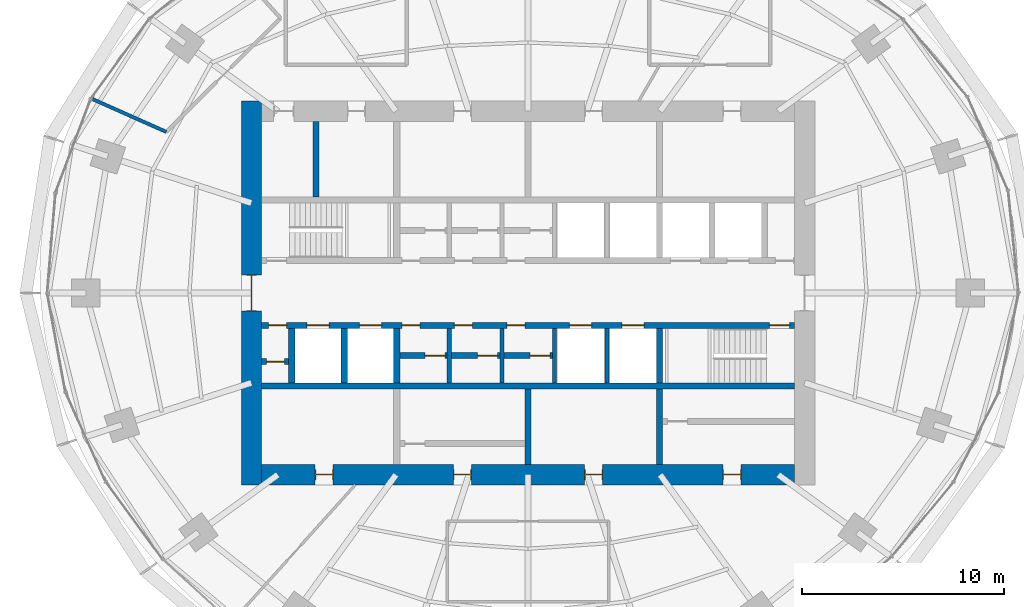
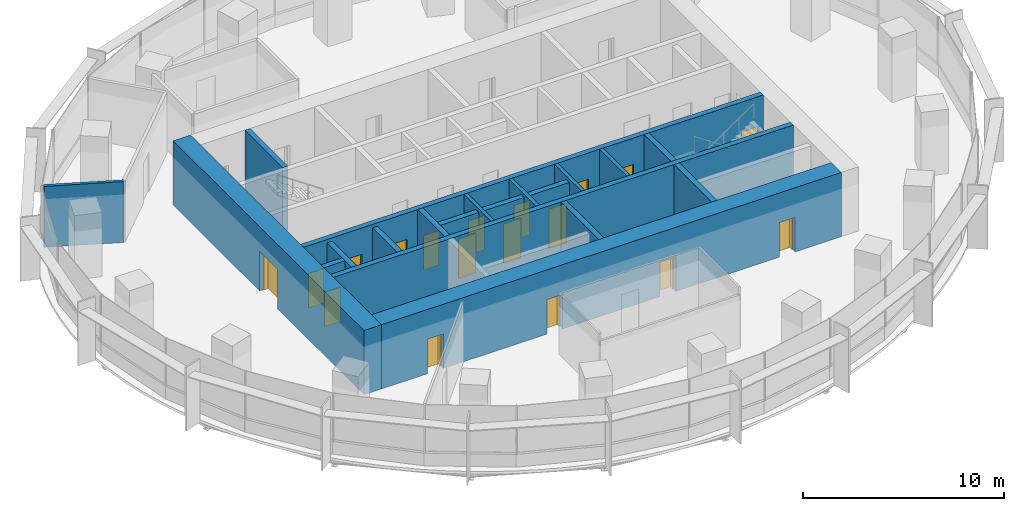
# One storey, part 10 of 14: 20 walls, 18 doors, 18 openings.
"""IFC4 building model written with IfcOpenShell, lengths in metres."""

import ifcopenshell
import ifcopenshell.guid

model = None  # the IFC model being written
_history = None  # IfcOwnerHistory: only IFC2X3 demands one
_inside = {}  # id of a spatial element -> (the spatial element, [elements in it])
_under = {}  # id of a project, library or spatial element -> (it, [spatial elements below it])
_declared = {}  # id of a project -> (the project, [libraries it declares])
_typed = {}  # id of a type object -> (the type object, [elements of that type])
_made_of = {}  # id of a material, layer set ... -> (it, [elements and type objects made of it])


def new_model(schema):
    """Start an empty IFC model of exactly this schema.

    Asked for "IFC4X3", IfcOpenShell would pick the latest addendum, in which some entities
    have other attributes; the version numbers below select the first issue.
    IFC2X3 requires an IfcOwnerHistory on every rooted entity: one is made here for all.
    """
    global model, _history
    if schema == "IFC4X3":
        model = ifcopenshell.file(schema_version=(4, 3, 0, 0))
    else:
        model = ifcopenshell.file(schema=schema)
    _inside.clear()
    _under.clear()
    _declared.clear()
    _typed.clear()
    _made_of.clear()
    _history = None
    if model.schema == "IFC2X3":
        org = make("IfcOrganization", Name="unknown")
        user = make(
            "IfcPersonAndOrganization",
            ThePerson=make("IfcPerson", FamilyName="unknown"),
            TheOrganization=org,
        )
        app = make(
            "IfcApplication",
            ApplicationDeveloper=org,
            Version="unknown",
            ApplicationFullName="unknown",
            ApplicationIdentifier="unknown",
        )
        _history = make(
            "IfcOwnerHistory",
            OwningUser=user,
            OwningApplication=app,
            ChangeAction="ADDED",
            CreationDate=0,
        )
    return model


def make(cls, **values):
    """One entity of the class cls with the attributes given. An attribute that is None is left unset."""
    return model.create_entity(
        cls, **{name: value for name, value in values.items() if value is not None}
    )


def rooted(cls, **values):
    """An entity with a GlobalId (a new one), such as an element, a storey or a relation."""
    return make(cls, GlobalId=ifcopenshell.guid.new(), OwnerHistory=_history, **values)


def si_unit(unit_type, name, prefix=None):
    """IfcSIUnit, for example si_unit("LENGTHUNIT", "METRE", prefix="MILLI")."""
    return make("IfcSIUnit", UnitType=unit_type, Prefix=prefix, Name=name)


def assignment(units):
    """IfcUnitAssignment: the units of a project."""
    return None if units is None else make("IfcUnitAssignment", Units=units)


def point(xyz):
    """IfcCartesianPoint."""
    return None if xyz is None else make("IfcCartesianPoint", Coordinates=xyz)


def direction(xyz):
    """IfcDirection."""
    return None if xyz is None else make("IfcDirection", DirectionRatios=xyz)


def frame(location, z_axis=None, x_axis=None):
    """IfcAxis2Placement3D, a coordinate frame: its origin and axes. An axis left out is left unset."""
    return make(
        "IfcAxis2Placement3D",
        Location=point(location),
        Axis=direction(z_axis),
        RefDirection=direction(x_axis),
    )


def frame_2d(location, x_axis=None):
    """IfcAxis2Placement2D, a coordinate frame in the plane: its origin and x axis."""
    return make(
        "IfcAxis2Placement2D", Location=point(location), RefDirection=direction(x_axis)
    )


def origin():
    """The frame at (0, 0, 0) with its axes left unset."""
    return frame((0.0, 0.0, 0.0))


def place(relative_to, where):
    """IfcLocalPlacement: puts the frame where relative to a parent placement (None: the world)."""
    return make(
        "IfcLocalPlacement", PlacementRelTo=relative_to, RelativePlacement=where
    )


def context(
    kind, dimensions, precision=None, world=None, true_north=None, identifier=None
):
    """IfcGeometricRepresentationContext, for example the 3D "Model" context."""
    return make(
        "IfcGeometricRepresentationContext",
        ContextIdentifier=identifier,
        ContextType=kind,
        CoordinateSpaceDimension=dimensions,
        Precision=precision,
        WorldCoordinateSystem=world,
        TrueNorth=true_north,
    )


def subcontext(parent, identifier, kind, view, scale=None):
    """IfcGeometricRepresentationSubContext, for example "Body" below "Model"."""
    return make(
        "IfcGeometricRepresentationSubContext",
        ContextIdentifier=identifier,
        ContextType=kind,
        ParentContext=parent,
        TargetScale=scale,
        TargetView=view,
    )


def project(units=None, contexts=None):
    """IfcProject with its units and contexts."""
    return rooted(
        "IfcProject",
        Name="project",
        RepresentationContexts=contexts,
        UnitsInContext=assignment(units),
    )


def spatial(cls, under=None, at=None, **own):
    """A site, building, storey or space (cls), placed at a placement, below another one or the project."""
    s = rooted(cls, ObjectPlacement=at, **own)
    if under is not None:
        _under.setdefault(under.id(), (under, []))[1].append(s)
    return s


def profile(cls, at=None, kind="AREA", **sizes):
    """A parametric profile (cls). Its sizes go by their IFC names, for example OverallWidth=200.0."""
    return make(cls, ProfileType=kind, Position=at, **sizes)


def rectangle(**sizes):
    """IfcRectangleProfileDef."""
    return profile("IfcRectangleProfileDef", **sizes)


def extrude(swept, where, along, depth):
    """IfcExtrudedAreaSolid: the profile swept, set in the frame where, extruded along a direction by depth."""
    return make(
        "IfcExtrudedAreaSolid",
        SweptArea=swept,
        Position=where,
        ExtrudedDirection=direction(along),
        Depth=depth,
    )


def shape(context_of_items, identifier, shape_type, items):
    """IfcShapeRepresentation: the items that make up one representation, for example the "Body"."""
    return make(
        "IfcShapeRepresentation",
        ContextOfItems=context_of_items,
        RepresentationIdentifier=identifier,
        RepresentationType=shape_type,
        Items=items,
    )


def material(Name=None, Category=None):
    """IfcMaterial."""
    return make("IfcMaterial", Name=Name, Category=Category)


def layer(
    of_material, thickness, ventilated=None, Name=None, Category=None, Priority=None
):
    """IfcMaterialLayer: one layer of a wall or slab, of a material (None: an air gap)."""
    return make(
        "IfcMaterialLayer",
        Material=of_material,
        LayerThickness=thickness,
        IsVentilated=ventilated,
        Name=Name,
        Category=Category,
        Priority=Priority,
    )


def layer_set(layers, Name=None):
    """IfcMaterialLayerSet."""
    return make("IfcMaterialLayerSet", MaterialLayers=layers, LayerSetName=Name)


def made_of(thing, what):
    """Note that an element or type object is made of a material, layer set ...; save() writes the relation."""
    if what is not None:
        _made_of.setdefault(what.id(), (what, []))[1].append(thing)
    return thing


def type_object(cls, material=None, **own):
    """A type object (cls), such as IfcWallType, which elements share."""
    return made_of(rooted(cls, **own), material)


def element(
    cls,
    number,
    at=None,
    inside=None,
    cuts=None,
    type_object=None,
    material=None,
    context=None,
    identifier="Body",
    shape_type=None,
    held_by="IfcProductDefinitionShape",
    body=None,
    shapes=None,
    **own,
):
    """One element of the class cls, such as IfcWall. Its Tag is "e" and its number.

    at: its placement. inside: the storey or other place that contains it. cuts: it is an
    opening in that element (IfcRelVoidsElement). A single representation is given by context,
    identifier, shape_type and body (its items); several are given by shapes. held_by: the class
    of the entity that holds the representations. save() writes the other relations.
    """
    e = rooted(cls, Tag="e%d" % number, ObjectPlacement=at, **own)
    if body is not None:
        shapes = [shape(context, identifier, shape_type, body)]
    if shapes is not None:
        e.Representation = make(held_by, Representations=shapes)
    if inside is not None:
        _inside.setdefault(inside.id(), (inside, []))[1].append(e)
    if cuts is not None:
        rooted(
            "IfcRelVoidsElement", RelatingBuildingElement=cuts, RelatedOpeningElement=e
        )
    if type_object is not None:
        _typed.setdefault(type_object.id(), (type_object, []))[1].append(e)
    return made_of(e, material)


def fill(opening, filler):
    """IfcRelFillsElement: the door or window that sits in an opening."""
    return rooted(
        "IfcRelFillsElement",
        RelatingOpeningElement=opening,
        RelatedBuildingElement=filler,
    )


def aggregate(whole, parts):
    """IfcRelAggregates: a whole, such as a stair, and the parts it consists of."""
    return rooted("IfcRelAggregates", RelatingObject=whole, RelatedObjects=parts)


def save(model, path):
    """Write the relations noted so far, then the file.

    IfcRelAggregates (storeys below a building ...), IfcRelContainedInSpatialStructure (elements
    in a storey), IfcRelDefinesByType, IfcRelAssociatesMaterial and IfcRelDeclares: one each for
    every whole, place, type object, material and project.
    """
    for whole, parts in _under.values():
        aggregate(whole, parts)
    for where, things in _inside.values():
        rooted(
            "IfcRelContainedInSpatialStructure",
            RelatedElements=things,
            RelatingStructure=where,
        )
    for kind, things in _typed.values():
        rooted("IfcRelDefinesByType", RelatedObjects=things, RelatingType=kind)
    for what, things in _made_of.values():
        rooted("IfcRelAssociatesMaterial", RelatedObjects=things, RelatingMaterial=what)
    for by, libraries in _declared.values():
        rooted("IfcRelDeclares", RelatingContext=by, RelatedDefinitions=libraries)
    model.write(path)


model = new_model("IFC4")

# Units and contexts
model_context = context("Model", 3, precision=1e-05, world=origin(), true_north=direction((0.0, 1.0)))
body_context = subcontext(model_context, "Body", "Model", "MODEL_VIEW")
ifc_project = project(units=[si_unit("LENGTHUNIT", "METRE"), si_unit("AREAUNIT", "SQUARE_METRE"), si_unit("VOLUMEUNIT", "CUBIC_METRE"), si_unit("PLANEANGLEUNIT", "RADIAN"), si_unit("MASSUNIT", "GRAM", prefix="KILO")], contexts=[model_context])

# Site, building, storey
site_placement = place(None, origin())
site = spatial("IfcSite", under=ifc_project, at=site_placement, CompositionType="ELEMENT")
building_placement = place(site_placement, origin())
building = spatial("IfcBuilding", under=site, at=building_placement, Name="Marramba Exchange Tower", CompositionType="ELEMENT")
storey_placement = place(building_placement, frame((0.0, 0.0, 242.300048828125)))
storey = spatial("IfcBuildingStorey", under=building, at=storey_placement, Name="L59", CompositionType="ELEMENT", Elevation=242.300048828125)

# Walls
ifc_material_1 = material(Name="Plasterboard on staggered double steel studs, acoustic insulation", Category="steel")
ifc_layer_1 = layer(ifc_material_1, 0.169921875)
ifc_layer_set_1 = layer_set([ifc_layer_1], Name="Acoustic partition 170")
wall_type_1 = type_object("IfcWallType", Name="Acoustic partition 170", PredefinedType="PARTITIONING", material=ifc_layer_set_1)
wall_1_placement = place(storey_placement, frame((-21.569091796875, 9.603271484375, 0.0), z_axis=(0.0, 0.0, 1.0), x_axis=(0.913549606868, -0.406727323635, 0.0)))
element("IfcWall", 1, at=wall_1_placement, inside=storey, type_object=wall_type_1, Name="Acoustic partition L59 18", PredefinedType="PARTITIONING", context=body_context, shape_type="SweptSolid", body=[
    extrude(rectangle(XDim=4.0, YDim=0.169921875, at=frame_2d((2.0, 0.0))), origin(), (0.0, 0.0, 1.0), 3.699951171875),
])
ifc_material_2 = material(Name="Concrete N50", Category="concrete")
ifc_layer_2 = layer(ifc_material_2, 0.199951171875)
ifc_layer_set_2 = layer_set([ifc_layer_2], Name="Core shaft wall 200")
wall_type_2 = type_object("IfcWallType", Name="Core shaft wall 200", PredefinedType="SHEAR", material=ifc_layer_set_2)
for number, where, z_axis, x_axis, name in (
    (2, (-3.89990234375, -1.75, 0.0), (0.0, 0.0, 1.0), (0.0, -1.0, 0.0), "Core wall SHS1 L59"),
    (3, (-1.300048828125, -1.75, 0.0), (0.0, 0.0, 1.0), (0.0, -1.0, 0.0), "Core wall SHS2 L59"),
    (4, (1.300048828125, -1.75, 0.0), (0.0, 0.0, 1.0), (0.0, -1.0, 0.0), "Core wall SHS3 L59"),
    (5, (3.89990234375, -1.75, 0.0), (0.0, 0.0, 1.0), (0.0, -1.0, 0.0), "Core wall SHS4 L59"),
):
    element("IfcWall", number, at=place(storey_placement, frame(where, z_axis=z_axis, x_axis=x_axis)), inside=storey, type_object=wall_type_2, Name=name, PredefinedType="SHEAR", context=body_context, shape_type="SweptSolid", body=[
        extrude(rectangle(XDim=2.699951171875, YDim=0.199951171875, at=frame_2d((1.35009765625, 0.0))), origin(), (0.0, 0.0, 1.0), 3.89990234375),
    ])

# Wall, openings, doors
ifc_layer_3 = layer(ifc_material_2, 1.0)
ifc_layer_set_3 = layer_set([ifc_layer_3], Name="Core wall 1000")
wall_type_3 = type_object("IfcWallType", Name="Core wall 1000", PredefinedType="SHEAR", material=ifc_layer_set_3)
wall_2_placement = place(storey_placement, frame((-13.199951171875, -9.0, 0.0), z_axis=(0.0, 0.0, 1.0), x_axis=(1.0, 0.0, 0.0)))
wall_2 = element("IfcWall", 6, at=wall_2_placement, inside=storey, type_object=wall_type_3, Name="Core wall S L59", PredefinedType="SHEAR", context=body_context, shape_type="SweptSolid", body=[
    extrude(rectangle(XDim=26.39990234375, YDim=1.0, at=frame_2d((13.199951171875, 0.0))), origin(), (0.0, 0.0, 1.0), 3.89990234375),
])
opening_1_placement = place(wall_2_placement, frame((2.64990234375, 0.0, 0.0)))
opening_1 = element("IfcOpeningElement", 7, at=opening_1_placement, cuts=wall_2, Name="Opening D5", PredefinedType="OPENING", context=body_context, shape_type="SweptSolid", body=[
    extrude(rectangle(XDim=0.89990234375, YDim=2.10009765625, at=frame_2d((0.449951171875, 1.050048828125))), frame((0.0, 0.510009765625, 0.0), z_axis=(0.0, -1.0, 0.0), x_axis=(1.0, 0.0, 0.0)), (0.0, 0.0, 1.0), 1.02001953125),
])
opening_2_placement = place(wall_2_placement, frame((9.5, 0.0, 0.0)))
opening_2 = element("IfcOpeningElement", 8, at=opening_2_placement, cuts=wall_2, Name="Opening D5", PredefinedType="OPENING", context=body_context, shape_type="SweptSolid", body=[
    extrude(rectangle(XDim=0.89990234375, YDim=2.10009765625, at=frame_2d((0.449951171875, 1.050048828125))), frame((0.0, 0.510009765625, 0.0), z_axis=(0.0, -1.0, 0.0), x_axis=(1.0, 0.0, 0.0)), (0.0, 0.0, 1.0), 1.02001953125),
])
opening_3_placement = place(wall_2_placement, frame((16.0, 0.0, 0.0)))
opening_3 = element("IfcOpeningElement", 9, at=opening_3_placement, cuts=wall_2, Name="Opening D5", PredefinedType="OPENING", context=body_context, shape_type="SweptSolid", body=[
    extrude(rectangle(XDim=0.89990234375, YDim=2.10009765625, at=frame_2d((0.449951171875, 1.050048828125))), frame((0.0, 0.510009765625, 0.0), z_axis=(0.0, -1.0, 0.0), x_axis=(1.0, 0.0, 0.0)), (0.0, 0.0, 1.0), 1.02001953125),
])
opening_4_placement = place(wall_2_placement, frame((22.85009765625, 0.0, 0.0)))
opening_4 = element("IfcOpeningElement", 10, at=opening_4_placement, cuts=wall_2, Name="Opening D5", PredefinedType="OPENING", context=body_context, shape_type="SweptSolid", body=[
    extrude(rectangle(XDim=0.89990234375, YDim=2.10009765625, at=frame_2d((0.449951171875, 1.050048828125))), frame((0.0, 0.510009765625, 0.0), z_axis=(0.0, -1.0, 0.0), x_axis=(1.0, 0.0, 0.0)), (0.0, 0.0, 1.0), 1.02001953125),
])
ifc_material_3 = material(Name="Steel-framed door", Category="steel")
door_type_1 = type_object("IfcDoorType", Name="Service door 900x2100", OperationType="SINGLE_SWING_LEFT", PredefinedType="DOOR", material=ifc_material_3)
door_1_placement = place(opening_1_placement, origin())
door_1 = element("IfcDoor", 11, at=door_1_placement, inside=storey, type_object=door_type_1, Name="D5 ahu L59", OperationType="SINGLE_SWING_LEFT", OverallHeight=2.10009765625, OverallWidth=0.89990234375, PredefinedType="DOOR", context=body_context, shape_type="SweptSolid", body=[
    extrude(rectangle(XDim=0.81982421875, YDim=2.06005859375, at=frame_2d((0.449951171875, 1.030029296875))), frame((0.0, 0.02490234375, 0.0), z_axis=(0.0, -1.0, 0.0), x_axis=(1.0, 0.0, 0.0)), (0.0, 0.0, 1.0), 0.050048828125),
    extrude(rectangle(XDim=0.04, YDim=2.10009765625, at=frame_2d((0.02001953125, 1.050048828125))), frame((0.0, 0.25, 0.0), z_axis=(0.0, -1.0, 0.0), x_axis=(1.0, 0.0, 0.0)), (0.0, 0.0, 1.0), 0.5),
    extrude(rectangle(XDim=0.04, YDim=2.10009765625, at=frame_2d((0.8798828125, 1.050048828125))), frame((0.0, 0.25, 0.0), z_axis=(0.0, -1.0, 0.0), x_axis=(1.0, 0.0, 0.0)), (0.0, 0.0, 1.0), 0.5),
    extrude(rectangle(XDim=0.81982421875, YDim=0.04, at=frame_2d((0.449951171875, 2.080078125))), frame((0.0, 0.25, 0.0), z_axis=(0.0, -1.0, 0.0), x_axis=(1.0, 0.0, 0.0)), (0.0, 0.0, 1.0), 0.5),
])
fill(opening_1, door_1)
door_2_placement = place(opening_2_placement, origin())
door_2 = element("IfcDoor", 12, at=door_2_placement, inside=storey, type_object=door_type_1, Name="D5 store L59", OperationType="SINGLE_SWING_RIGHT", OverallHeight=2.10009765625, OverallWidth=0.89990234375, PredefinedType="DOOR", context=body_context, shape_type="SweptSolid", body=[
    extrude(rectangle(XDim=0.81982421875, YDim=2.06005859375, at=frame_2d((0.449951171875, 1.030029296875))), frame((0.0, 0.02490234375, 0.0), z_axis=(0.0, -1.0, 0.0), x_axis=(1.0, 0.0, 0.0)), (0.0, 0.0, 1.0), 0.050048828125),
    extrude(rectangle(XDim=0.04, YDim=2.10009765625, at=frame_2d((0.02001953125, 1.050048828125))), frame((0.0, 0.25, 0.0), z_axis=(0.0, -1.0, 0.0), x_axis=(1.0, 0.0, 0.0)), (0.0, 0.0, 1.0), 0.5),
    extrude(rectangle(XDim=0.04, YDim=2.10009765625, at=frame_2d((0.8798828125, 1.050048828125))), frame((0.0, 0.25, 0.0), z_axis=(0.0, -1.0, 0.0), x_axis=(1.0, 0.0, 0.0)), (0.0, 0.0, 1.0), 0.5),
    extrude(rectangle(XDim=0.81982421875, YDim=0.04, at=frame_2d((0.449951171875, 2.080078125))), frame((0.0, 0.25, 0.0), z_axis=(0.0, -1.0, 0.0), x_axis=(1.0, 0.0, 0.0)), (0.0, 0.0, 1.0), 0.5),
])
fill(opening_2, door_2)
door_3_placement = place(opening_3_placement, origin())
door_3 = element("IfcDoor", 13, at=door_3_placement, inside=storey, type_object=door_type_1, Name="D5 switch L59", OperationType="SINGLE_SWING_RIGHT", OverallHeight=2.10009765625, OverallWidth=0.89990234375, PredefinedType="DOOR", context=body_context, shape_type="SweptSolid", body=[
    extrude(rectangle(XDim=0.81982421875, YDim=2.06005859375, at=frame_2d((0.449951171875, 1.030029296875))), frame((0.0, 0.02490234375, 0.0), z_axis=(0.0, -1.0, 0.0), x_axis=(1.0, 0.0, 0.0)), (0.0, 0.0, 1.0), 0.050048828125),
    extrude(rectangle(XDim=0.04, YDim=2.10009765625, at=frame_2d((0.02001953125, 1.050048828125))), frame((0.0, 0.25, 0.0), z_axis=(0.0, -1.0, 0.0), x_axis=(1.0, 0.0, 0.0)), (0.0, 0.0, 1.0), 0.5),
    extrude(rectangle(XDim=0.04, YDim=2.10009765625, at=frame_2d((0.8798828125, 1.050048828125))), frame((0.0, 0.25, 0.0), z_axis=(0.0, -1.0, 0.0), x_axis=(1.0, 0.0, 0.0)), (0.0, 0.0, 1.0), 0.5),
    extrude(rectangle(XDim=0.81982421875, YDim=0.04, at=frame_2d((0.449951171875, 2.080078125))), frame((0.0, 0.25, 0.0), z_axis=(0.0, -1.0, 0.0), x_axis=(1.0, 0.0, 0.0)), (0.0, 0.0, 1.0), 0.5),
])
fill(opening_3, door_3)
door_4_placement = place(opening_4_placement, origin())
door_4 = element("IfcDoor", 14, at=door_4_placement, inside=storey, type_object=door_type_1, Name="D5 cstore L59", OperationType="SINGLE_SWING_RIGHT", OverallHeight=2.10009765625, OverallWidth=0.89990234375, PredefinedType="DOOR", context=body_context, shape_type="SweptSolid", body=[
    extrude(rectangle(XDim=0.81982421875, YDim=2.06005859375, at=frame_2d((0.449951171875, 1.030029296875))), frame((0.0, 0.02490234375, 0.0), z_axis=(0.0, -1.0, 0.0), x_axis=(1.0, 0.0, 0.0)), (0.0, 0.0, 1.0), 0.050048828125),
    extrude(rectangle(XDim=0.04, YDim=2.10009765625, at=frame_2d((0.02001953125, 1.050048828125))), frame((0.0, 0.25, 0.0), z_axis=(0.0, -1.0, 0.0), x_axis=(1.0, 0.0, 0.0)), (0.0, 0.0, 1.0), 0.5),
    extrude(rectangle(XDim=0.04, YDim=2.10009765625, at=frame_2d((0.8798828125, 1.050048828125))), frame((0.0, 0.25, 0.0), z_axis=(0.0, -1.0, 0.0), x_axis=(1.0, 0.0, 0.0)), (0.0, 0.0, 1.0), 0.5),
    extrude(rectangle(XDim=0.81982421875, YDim=0.04, at=frame_2d((0.449951171875, 2.080078125))), frame((0.0, 0.25, 0.0), z_axis=(0.0, -1.0, 0.0), x_axis=(1.0, 0.0, 0.0)), (0.0, 0.0, 1.0), 0.5),
])
fill(opening_4, door_4)

# Wall, opening, door
wall_3_placement = place(storey_placement, frame((-13.699951171875, 9.5, 0.0), z_axis=(0.0, 0.0, 1.0), x_axis=(0.0, -1.0, 0.0)))
wall_3 = element("IfcWall", 15, at=wall_3_placement, inside=storey, type_object=wall_type_3, Name="Core wall W L59", PredefinedType="SHEAR", context=body_context, shape_type="SweptSolid", body=[
    extrude(rectangle(XDim=19.0, YDim=1.0, at=frame_2d((9.5, 0.0))), origin(), (0.0, 0.0, 1.0), 3.89990234375),
])
opening_5_placement = place(wall_3_placement, frame((8.60009765625, 0.0, 0.0)))
opening_5 = element("IfcOpeningElement", 16, at=opening_5_placement, cuts=wall_3, Name="Opening D1", PredefinedType="OPENING", context=body_context, shape_type="SweptSolid", body=[
    extrude(rectangle(XDim=1.800048828125, YDim=2.39990234375, at=frame_2d((0.89990234375, 1.199951171875))), frame((0.0, 0.510009765625, 0.0), z_axis=(0.0, -1.0, 0.0), x_axis=(1.0, 0.0, 0.0)), (0.0, 0.0, 1.0), 1.02001953125),
])
door_type_2 = type_object("IfcDoorType", Name="Lobby exit door 1800x2400", OperationType="DOUBLE_DOOR_SINGLE_SWING", PredefinedType="DOOR", material=ifc_material_3)
door_5_placement = place(opening_5_placement, origin())
door_5 = element("IfcDoor", 17, at=door_5_placement, inside=storey, type_object=door_type_2, Name="D1 lobby exit west L59", OperationType="DOUBLE_DOOR_SINGLE_SWING", OverallHeight=2.39990234375, OverallWidth=1.800048828125, PredefinedType="DOOR", context=body_context, shape_type="SweptSolid", body=[
    extrude(rectangle(XDim=1.719970703125, YDim=2.35986328125, at=frame_2d((0.89990234375, 1.179931640625))), frame((0.0, 0.02490234375, 0.0), z_axis=(0.0, -1.0, 0.0), x_axis=(1.0, 0.0, 0.0)), (0.0, 0.0, 1.0), 0.050048828125),
    extrude(rectangle(XDim=0.04, YDim=2.39990234375, at=frame_2d((0.02001953125, 1.199951171875))), frame((0.0, 0.25, 0.0), z_axis=(0.0, -1.0, 0.0), x_axis=(1.0, 0.0, 0.0)), (0.0, 0.0, 1.0), 0.5),
    extrude(rectangle(XDim=0.04, YDim=2.39990234375, at=frame_2d((1.780029296875, 1.199951171875))), frame((0.0, 0.25, 0.0), z_axis=(0.0, -1.0, 0.0), x_axis=(1.0, 0.0, 0.0)), (0.0, 0.0, 1.0), 0.5),
    extrude(rectangle(XDim=1.719970703125, YDim=0.04, at=frame_2d((0.89990234375, 2.3798828125))), frame((0.0, 0.25, 0.0), z_axis=(0.0, -1.0, 0.0), x_axis=(1.0, 0.0, 0.0)), (0.0, 0.0, 1.0), 0.5),
])
fill(opening_5, door_5)

# Wall, openings, doors
ifc_layer_4 = layer(ifc_material_2, 0.300048828125)
ifc_layer_set_4 = layer_set([ifc_layer_4], Name="Core wall 300")
wall_type_4 = type_object("IfcWallType", Name="Core wall 300", PredefinedType="SHEAR", material=ifc_layer_set_4)
wall_4_placement = place(storey_placement, frame((-13.199951171875, -1.60009765625, 0.0), z_axis=(0.0, 0.0, 1.0), x_axis=(1.0, 0.0, 0.0)))
wall_4 = element("IfcWall", 18, at=wall_4_placement, inside=storey, type_object=wall_type_4, Name="Core wall LS L59", PredefinedType="SHEAR", context=body_context, shape_type="SweptSolid", body=[
    extrude(rectangle(XDim=26.39990234375, YDim=0.300048828125, at=frame_2d((13.199951171875, 0.0))), origin(), (0.0, 0.0, 1.0), 3.89990234375),
])
opening_6_placement = place(wall_4_placement, frame((25.14990234375, 0.0, 0.0)))
opening_6 = element("IfcOpeningElement", 19, at=opening_6_placement, cuts=wall_4, Name="Opening D2", PredefinedType="OPENING", context=body_context, shape_type="SweptSolid", body=[
    extrude(rectangle(XDim=1.0, YDim=2.10009765625, at=frame_2d((0.5, 1.050048828125))), frame((0.0, 0.159912109375, 0.0), z_axis=(0.0, -1.0, 0.0), x_axis=(1.0, 0.0, 0.0)), (0.0, 0.0, 1.0), 0.320068359375),
])
opening_7_placement = place(wall_4_placement, frame((6.949951171875, 0.0, 0.0)))
opening_7 = element("IfcOpeningElement", 20, at=opening_7_placement, cuts=wall_4, Name="Opening D5", PredefinedType="OPENING", context=body_context, shape_type="SweptSolid", body=[
    extrude(rectangle(XDim=0.89990234375, YDim=2.10009765625, at=frame_2d((0.449951171875, 1.050048828125))), frame((0.0, 0.159912109375, 0.0), z_axis=(0.0, -1.0, 0.0), x_axis=(1.0, 0.0, 0.0)), (0.0, 0.0, 1.0), 0.320068359375),
])
opening_8_placement = place(wall_4_placement, frame((9.550048828125, 0.0, 0.0)))
opening_8 = element("IfcOpeningElement", 21, at=opening_8_placement, cuts=wall_4, Name="Opening D5", PredefinedType="OPENING", context=body_context, shape_type="SweptSolid", body=[
    extrude(rectangle(XDim=0.89990234375, YDim=2.10009765625, at=frame_2d((0.449951171875, 1.050048828125))), frame((0.0, 0.159912109375, 0.0), z_axis=(0.0, -1.0, 0.0), x_axis=(1.0, 0.0, 0.0)), (0.0, 0.0, 1.0), 0.320068359375),
])
opening_9_placement = place(wall_4_placement, frame((12.14990234375, 0.0, 0.0)))
opening_9 = element("IfcOpeningElement", 22, at=opening_9_placement, cuts=wall_4, Name="Opening D5", PredefinedType="OPENING", context=body_context, shape_type="SweptSolid", body=[
    extrude(rectangle(XDim=0.89990234375, YDim=2.10009765625, at=frame_2d((0.449951171875, 1.050048828125))), frame((0.0, 0.159912109375, 0.0), z_axis=(0.0, -1.0, 0.0), x_axis=(1.0, 0.0, 0.0)), (0.0, 0.0, 1.0), 0.320068359375),
])
opening_10_placement = place(wall_4_placement, frame((15.25, 0.0, 0.0)))
opening_10 = element("IfcOpeningElement", 23, at=opening_10_placement, cuts=wall_4, Name="Opening LD2", PredefinedType="OPENING", context=body_context, shape_type="SweptSolid", body=[
    extrude(rectangle(XDim=1.10009765625, YDim=2.300048828125, at=frame_2d((0.550048828125, 1.14990234375))), frame((0.0, 0.159912109375, 0.0), z_axis=(0.0, -1.0, 0.0), x_axis=(1.0, 0.0, 0.0)), (0.0, 0.0, 1.0), 0.320068359375),
])
opening_11_placement = place(wall_4_placement, frame((17.85009765625, 0.0, 0.0)))
opening_11 = element("IfcOpeningElement", 24, at=opening_11_placement, cuts=wall_4, Name="Opening LD2", PredefinedType="OPENING", context=body_context, shape_type="SweptSolid", body=[
    extrude(rectangle(XDim=1.10009765625, YDim=2.300048828125, at=frame_2d((0.550048828125, 1.14990234375))), frame((0.0, 0.159912109375, 0.0), z_axis=(0.0, -1.0, 0.0), x_axis=(1.0, 0.0, 0.0)), (0.0, 0.0, 1.0), 0.320068359375),
])
opening_12_placement = place(wall_4_placement, frame((4.85009765625, 0.0, 0.0)))
opening_12 = element("IfcOpeningElement", 25, at=opening_12_placement, cuts=wall_4, Name="Opening LD1", PredefinedType="OPENING", context=body_context, shape_type="SweptSolid", body=[
    extrude(rectangle(XDim=1.10009765625, YDim=2.300048828125, at=frame_2d((0.550048828125, 1.14990234375))), frame((0.0, 0.159912109375, 0.0), z_axis=(0.0, -1.0, 0.0), x_axis=(1.0, 0.0, 0.0)), (0.0, 0.0, 1.0), 0.320068359375),
])
opening_13_placement = place(wall_4_placement, frame((2.25, 0.0, 0.0)))
opening_13 = element("IfcOpeningElement", 26, at=opening_13_placement, cuts=wall_4, Name="Opening LD1", PredefinedType="OPENING", context=body_context, shape_type="SweptSolid", body=[
    extrude(rectangle(XDim=1.10009765625, YDim=2.300048828125, at=frame_2d((0.550048828125, 1.14990234375))), frame((0.0, 0.159912109375, 0.0), z_axis=(0.0, -1.0, 0.0), x_axis=(1.0, 0.0, 0.0)), (0.0, 0.0, 1.0), 0.320068359375),
])
opening_14_placement = place(wall_4_placement, frame((0.35009765625, 0.0, 0.0)))
opening_14 = element("IfcOpeningElement", 27, at=opening_14_placement, cuts=wall_4, Name="Opening D5", PredefinedType="OPENING", context=body_context, shape_type="SweptSolid", body=[
    extrude(rectangle(XDim=0.89990234375, YDim=2.10009765625, at=frame_2d((0.449951171875, 1.050048828125))), frame((0.0, 0.159912109375, 0.0), z_axis=(0.0, -1.0, 0.0), x_axis=(1.0, 0.0, 0.0)), (0.0, 0.0, 1.0), 0.320068359375),
])
door_type_3 = type_object("IfcDoorType", Name="Emergency lift landing door 1100x2300", OperationType="SLIDING_TO_LEFT", PredefinedType="DOOR", material=ifc_material_3)
door_6_placement = place(opening_10_placement, frame((1.10009765625, 0.0, 0.0), z_axis=(0.0, 0.0, 1.0), x_axis=(-1.0, 0.0, 0.0)))
door_6 = element("IfcDoor", 28, at=door_6_placement, inside=storey, type_object=door_type_3, Name="FL1 landing door L59", OperationType="SLIDING_TO_RIGHT", OverallHeight=2.300048828125, OverallWidth=1.10009765625, PredefinedType="DOOR", context=body_context, shape_type="SweptSolid", body=[
    extrude(rectangle(XDim=1.10009765625, YDim=2.300048828125, at=frame_2d((0.550048828125, 1.14990234375))), frame((0.0, 0.025146484375, 0.0), z_axis=(0.0, -1.0, 0.0), x_axis=(1.0, 0.0, 0.0)), (0.0, 0.0, 1.0), 0.050048828125),
])
fill(opening_10, door_6)
door_7_placement = place(opening_11_placement, frame((1.10009765625, 0.0, 0.0), z_axis=(0.0, 0.0, 1.0), x_axis=(-1.0, 0.0, 0.0)))
door_7 = element("IfcDoor", 29, at=door_7_placement, inside=storey, type_object=door_type_3, Name="FL2 landing door L59", OperationType="SLIDING_TO_LEFT", OverallHeight=2.300048828125, OverallWidth=1.10009765625, PredefinedType="DOOR", context=body_context, shape_type="SweptSolid", body=[
    extrude(rectangle(XDim=1.10009765625, YDim=2.300048828125, at=frame_2d((0.550048828125, 1.14990234375))), frame((0.0, 0.025146484375, 0.0), z_axis=(0.0, -1.0, 0.0), x_axis=(1.0, 0.0, 0.0)), (0.0, 0.0, 1.0), 0.050048828125),
])
fill(opening_11, door_7)
door_type_4 = type_object("IfcDoorType", Name="Lift landing door 1100x2300", OperationType="SLIDING_TO_LEFT", PredefinedType="DOOR", material=ifc_material_3)
door_8_placement = place(opening_12_placement, frame((1.10009765625, 0.0, 0.0), z_axis=(0.0, 0.0, 1.0), x_axis=(-1.0, 0.0, 0.0)))
door_8 = element("IfcDoor", 30, at=door_8_placement, inside=storey, type_object=door_type_4, Name="LC1 landing door L59", OperationType="SLIDING_TO_RIGHT", OverallHeight=2.300048828125, OverallWidth=1.10009765625, PredefinedType="DOOR", context=body_context, shape_type="SweptSolid", body=[
    extrude(rectangle(XDim=1.10009765625, YDim=2.300048828125, at=frame_2d((0.550048828125, 1.14990234375))), frame((0.0, 0.025146484375, 0.0), z_axis=(0.0, -1.0, 0.0), x_axis=(1.0, 0.0, 0.0)), (0.0, 0.0, 1.0), 0.050048828125),
])
fill(opening_12, door_8)
door_9_placement = place(opening_13_placement, frame((1.10009765625, 0.0, 0.0), z_axis=(0.0, 0.0, 1.0), x_axis=(-1.0, 0.0, 0.0)))
door_9 = element("IfcDoor", 31, at=door_9_placement, inside=storey, type_object=door_type_4, Name="LC2 landing door L59", OperationType="SLIDING_TO_LEFT", OverallHeight=2.300048828125, OverallWidth=1.10009765625, PredefinedType="DOOR", context=body_context, shape_type="SweptSolid", body=[
    extrude(rectangle(XDim=1.10009765625, YDim=2.300048828125, at=frame_2d((0.550048828125, 1.14990234375))), frame((0.0, 0.025146484375, 0.0), z_axis=(0.0, -1.0, 0.0), x_axis=(1.0, 0.0, 0.0)), (0.0, 0.0, 1.0), 0.050048828125),
])
fill(opening_13, door_9)
door_10_placement = place(opening_7_placement, frame((0.89990234375, 0.0, 0.0), z_axis=(0.0, 0.0, 1.0), x_axis=(-1.0, 0.0, 0.0)))
door_10 = element("IfcDoor", 32, at=door_10_placement, inside=storey, type_object=door_type_1, Name="D5 pantry n1 L59", OperationType="SINGLE_SWING_RIGHT", OverallHeight=2.10009765625, OverallWidth=0.89990234375, PredefinedType="DOOR", context=body_context, shape_type="SweptSolid", body=[
    extrude(rectangle(XDim=0.89990234375, YDim=2.10009765625, at=frame_2d((0.449951171875, 1.050048828125))), frame((0.0, 0.025146484375, 0.0), z_axis=(0.0, -1.0, 0.0), x_axis=(1.0, 0.0, 0.0)), (0.0, 0.0, 1.0), 0.050048828125),
])
fill(opening_7, door_10)
door_11_placement = place(opening_8_placement, frame((0.89990234375, 0.0, 0.0), z_axis=(0.0, 0.0, 1.0), x_axis=(-1.0, 0.0, 0.0)))
door_11 = element("IfcDoor", 33, at=door_11_placement, inside=storey, type_object=door_type_1, Name="D5 store room n1 L59", OperationType="SINGLE_SWING_RIGHT", OverallHeight=2.10009765625, OverallWidth=0.89990234375, PredefinedType="DOOR", context=body_context, shape_type="SweptSolid", body=[
    extrude(rectangle(XDim=0.89990234375, YDim=2.10009765625, at=frame_2d((0.449951171875, 1.050048828125))), frame((0.0, 0.025146484375, 0.0), z_axis=(0.0, -1.0, 0.0), x_axis=(1.0, 0.0, 0.0)), (0.0, 0.0, 1.0), 0.050048828125),
])
fill(opening_8, door_11)
door_12_placement = place(opening_9_placement, frame((0.89990234375, 0.0, 0.0), z_axis=(0.0, 0.0, 1.0), x_axis=(-1.0, 0.0, 0.0)))
door_12 = element("IfcDoor", 34, at=door_12_placement, inside=storey, type_object=door_type_1, Name="D5 linen store n2 L59", OperationType="SINGLE_SWING_RIGHT", OverallHeight=2.10009765625, OverallWidth=0.89990234375, PredefinedType="DOOR", context=body_context, shape_type="SweptSolid", body=[
    extrude(rectangle(XDim=0.89990234375, YDim=2.10009765625, at=frame_2d((0.449951171875, 1.050048828125))), frame((0.0, 0.025146484375, 0.0), z_axis=(0.0, -1.0, 0.0), x_axis=(1.0, 0.0, 0.0)), (0.0, 0.0, 1.0), 0.050048828125),
])
fill(opening_9, door_12)
door_13_placement = place(opening_14_placement, frame((0.89990234375, 0.0, 0.0), z_axis=(0.0, 0.0, 1.0), x_axis=(-1.0, 0.0, 0.0)))
door_13 = element("IfcDoor", 35, at=door_13_placement, inside=storey, type_object=door_type_1, Name="D5 electrical riser L59", OperationType="SINGLE_SWING_LEFT", OverallHeight=2.10009765625, OverallWidth=0.89990234375, PredefinedType="DOOR", context=body_context, shape_type="SweptSolid", body=[
    extrude(rectangle(XDim=0.89990234375, YDim=2.10009765625, at=frame_2d((0.449951171875, 1.050048828125))), frame((0.0, 0.025146484375, 0.0), z_axis=(0.0, -1.0, 0.0), x_axis=(1.0, 0.0, 0.0)), (0.0, 0.0, 1.0), 0.050048828125),
])
fill(opening_14, door_13)
door_type_5 = type_object("IfcDoorType", Name="Stair door 1000x2100", OperationType="SINGLE_SWING_LEFT", PredefinedType="DOOR", material=ifc_material_3)
door_14_placement = place(opening_6_placement, frame((1.0, 0.0, 0.0), z_axis=(0.0, 0.0, 1.0), x_axis=(-1.0, 0.0, 0.0)))
door_14 = element("IfcDoor", 36, at=door_14_placement, inside=storey, type_object=door_type_5, Name="D2 stair ST2 L59", OperationType="SINGLE_SWING_LEFT", OverallHeight=2.10009765625, OverallWidth=1.0, PredefinedType="DOOR", context=body_context, shape_type="SweptSolid", body=[
    extrude(rectangle(XDim=1.0, YDim=2.10009765625, at=frame_2d((0.5, 1.050048828125))), frame((0.0, 0.025146484375, 0.0), z_axis=(0.0, -1.0, 0.0), x_axis=(1.0, 0.0, 0.0)), (0.0, 0.0, 1.0), 0.050048828125),
])
fill(opening_6, door_14)

# Walls
wall_5_placement = place(storey_placement, frame((-13.199951171875, -4.60009765625, 0.0), z_axis=(0.0, 0.0, 1.0), x_axis=(1.0, 0.0, 0.0)))
element("IfcWall", 37, at=wall_5_placement, inside=storey, type_object=wall_type_4, Name="Core wall BS L59", PredefinedType="SHEAR", context=body_context, shape_type="SweptSolid", body=[
    extrude(rectangle(XDim=26.39990234375, YDim=0.300048828125, at=frame_2d((13.199951171875, 0.0))), origin(), (0.0, 0.0, 1.0), 3.89990234375),
])
for number, where, z_axis, x_axis, name in (
    (38, (-6.5, -1.75, 0.0), (0.0, 0.0, 1.0), (0.0, -1.0, 0.0), "Core wall X0Sa L59"),
    (39, (6.5, -1.75, 0.0), (0.0, 0.0, 1.0), (0.0, -1.0, 0.0), "Core wall X1Sa L59"),
):
    element("IfcWall", number, at=place(storey_placement, frame(where, z_axis=z_axis, x_axis=x_axis)), inside=storey, type_object=wall_type_4, Name=name, PredefinedType="SHEAR", context=body_context, shape_type="SweptSolid", body=[
        extrude(rectangle(XDim=2.699951171875, YDim=0.300048828125, at=frame_2d((1.35009765625, 0.0))), origin(), (0.0, 0.0, 1.0), 3.89990234375),
    ])
for number, where, z_axis, x_axis, name in (
    (40, (6.5, -4.75, 0.0), (0.0, 0.0, 1.0), (0.0, -1.0, 0.0), "Core wall X1Sb L59"),
    (41, (0.0, -4.75, 0.0), (0.0, 0.0, 1.0), (0.0, -1.0, 0.0), "Core wall MS L59"),
    (42, (-10.5, 4.75, 0.0), (0.0, 0.0, 1.0), (0.0, 1.0, 0.0), "Core wall WD L59"),
):
    element("IfcWall", number, at=place(storey_placement, frame(where, z_axis=z_axis, x_axis=x_axis)), inside=storey, type_object=wall_type_4, Name=name, PredefinedType="SHEAR", context=body_context, shape_type="SweptSolid", body=[
        extrude(rectangle(XDim=3.75, YDim=0.300048828125, at=frame_2d((1.875, 0.0))), origin(), (0.0, 0.0, 1.0), 3.89990234375),
    ])
ifc_material_4 = material(Name="Core-filled concrete blockwork", Category="masonry")
ifc_layer_5 = layer(ifc_material_4, 0.300048828125)
ifc_layer_set_5 = layer_set([ifc_layer_5], Name="Lift shaft wall 300")
wall_type_5 = type_object("IfcWallType", Name="Lift shaft wall 300", PredefinedType="SOLIDWALL", material=ifc_layer_set_5)
for number, where, z_axis, x_axis, name in (
    (43, (-9.10009765625, -1.75, 0.0), (0.0, 0.0, 1.0), (0.0, -1.0, 0.0), "Lift shaft wall W1 L59"),
    (44, (-11.699951171875, -1.75, 0.0), (0.0, 0.0, 1.0), (0.0, -1.0, 0.0), "Lift shaft wall W2 L59"),
):
    element("IfcWall", number, at=place(storey_placement, frame(where, z_axis=z_axis, x_axis=x_axis)), inside=storey, type_object=wall_type_5, Name=name, PredefinedType="SOLIDWALL", context=body_context, shape_type="SweptSolid", body=[
        extrude(rectangle(XDim=2.699951171875, YDim=0.300048828125, at=frame_2d((1.35009765625, 0.0))), origin(), (0.0, 0.0, 1.0), 3.699951171875),
    ])

# Wall, opening, door
ifc_layer_6 = layer(ifc_material_4, 0.300048828125)
ifc_layer_set_6 = layer_set([ifc_layer_6], Name="Riser enclosure wall 300")
wall_type_6 = type_object("IfcWallType", Name="Riser enclosure wall 300", PredefinedType="SOLIDWALL", material=ifc_layer_set_6)
wall_6_placement = place(storey_placement, frame((-13.199951171875, -3.39990234375, 0.0), z_axis=(0.0, 0.0, 1.0), x_axis=(1.0, 0.0, 0.0)))
wall_6 = element("IfcWall", 45, at=wall_6_placement, inside=storey, type_object=wall_type_6, Name="Riser enclosure wall L59", PredefinedType="SOLIDWALL", context=body_context, shape_type="SweptSolid", body=[
    extrude(rectangle(XDim=1.349853515625, YDim=0.300048828125, at=frame_2d((0.6748046875, 0.0))), origin(), (0.0, 0.0, 1.0), 3.699951171875),
])
opening_15_placement = place(wall_6_placement, frame((0.25, 0.0, 0.0)))
opening_15 = element("IfcOpeningElement", 46, at=opening_15_placement, cuts=wall_6, Name="Opening D5", PredefinedType="OPENING", context=body_context, shape_type="SweptSolid", body=[
    extrude(rectangle(XDim=0.89990234375, YDim=2.10009765625, at=frame_2d((0.449951171875, 1.050048828125))), frame((0.0, 0.159912109375, 0.0), z_axis=(0.0, -1.0, 0.0), x_axis=(1.0, 0.0, 0.0)), (0.0, 0.0, 1.0), 0.320068359375),
])
door_15_placement = place(opening_15_placement, frame((0.89990234375, 0.0, 0.0), z_axis=(0.0, 0.0, 1.0), x_axis=(-1.0, 0.0, 0.0)))
door_15 = element("IfcDoor", 47, at=door_15_placement, inside=storey, type_object=door_type_1, Name="D5 electrical riser back L59", OperationType="SINGLE_SWING_LEFT", OverallHeight=2.10009765625, OverallWidth=0.89990234375, PredefinedType="DOOR", context=body_context, shape_type="SweptSolid", body=[
    extrude(rectangle(XDim=0.89990234375, YDim=2.10009765625, at=frame_2d((0.449951171875, 1.050048828125))), frame((0.0, 0.025146484375, 0.0), z_axis=(0.0, -1.0, 0.0), x_axis=(1.0, 0.0, 0.0)), (0.0, 0.0, 1.0), 0.050048828125),
])
fill(opening_15, door_15)

ifc_material_5 = material(Name="Plasterboard on steel studs, insulated, unrated", Category="steel")
ifc_layer_7 = layer(ifc_material_5, 0.300048828125)
ifc_layer_set_7 = layer_set([ifc_layer_7], Name="Store partition 300")
wall_type_7 = type_object("IfcWallType", Name="Store partition 300", PredefinedType="PARTITIONING", material=ifc_layer_set_7)
wall_7_placement = place(storey_placement, frame((-6.35009765625, -3.10009765625, 0.0), z_axis=(0.0, 0.0, 1.0), x_axis=(1.0, 0.0, 0.0)))
wall_7 = element("IfcWall", 48, at=wall_7_placement, inside=storey, type_object=wall_type_7, Name="Store partition L59 S1", PredefinedType="PARTITIONING", context=body_context, shape_type="SweptSolid", body=[
    extrude(rectangle(XDim=2.35009765625, YDim=0.300048828125, at=frame_2d((1.175048828125, 0.0))), origin(), (0.0, 0.0, 1.0), 3.699951171875),
])
opening_16_placement = place(wall_7_placement, frame((1.25, 0.0, 0.0)))
opening_16 = element("IfcOpeningElement", 49, at=opening_16_placement, cuts=wall_7, Name="Opening D9", PredefinedType="OPENING", context=body_context, shape_type="SweptSolid", body=[
    extrude(rectangle(XDim=1.0, YDim=2.39990234375, at=frame_2d((0.5, 1.199951171875))), frame((0.0, 0.159912109375, 0.0), z_axis=(0.0, -1.0, 0.0), x_axis=(1.0, 0.0, 0.0)), (0.0, 0.0, 1.0), 0.320068359375),
])
ifc_material_6 = material(Name="Timber door", Category="wood")
door_type_6 = type_object("IfcDoorType", Name="Room door 1000x2400", OperationType="SINGLE_SWING_LEFT", PredefinedType="DOOR", material=ifc_material_6)
door_16_placement = place(opening_16_placement, origin())
door_16 = element("IfcDoor", 50, at=door_16_placement, inside=storey, type_object=door_type_6, Name="D9 store room S1 L59", OperationType="SINGLE_SWING_RIGHT", OverallHeight=2.39990234375, OverallWidth=1.0, PredefinedType="DOOR", context=body_context, shape_type="SweptSolid", body=[
    extrude(rectangle(XDim=1.0, YDim=2.39990234375, at=frame_2d((0.5, 1.199951171875))), frame((0.0, 0.02490234375, 0.0), z_axis=(0.0, -1.0, 0.0), x_axis=(1.0, 0.0, 0.0)), (0.0, 0.0, 1.0), 0.050048828125),
])
fill(opening_16, door_16)

wall_8_placement = place(storey_placement, frame((-3.800048828125, -3.10009765625, 0.0), z_axis=(0.0, 0.0, 1.0), x_axis=(1.0, 0.0, 0.0)))
wall_8 = element("IfcWall", 51, at=wall_8_placement, inside=storey, type_object=wall_type_7, Name="Store partition L59 S2", PredefinedType="PARTITIONING", context=body_context, shape_type="SweptSolid", body=[
    extrude(rectangle(XDim=2.400146484375, YDim=0.300048828125, at=frame_2d((1.2001953125, 0.0))), origin(), (0.0, 0.0, 1.0), 3.699951171875),
])
opening_17_placement = place(wall_8_placement, frame((1.300048828125, 0.0, 0.0)))
opening_17 = element("IfcOpeningElement", 52, at=opening_17_placement, cuts=wall_8, Name="Opening D9", PredefinedType="OPENING", context=body_context, shape_type="SweptSolid", body=[
    extrude(rectangle(XDim=1.0, YDim=2.39990234375, at=frame_2d((0.5, 1.199951171875))), frame((0.0, 0.159912109375, 0.0), z_axis=(0.0, -1.0, 0.0), x_axis=(1.0, 0.0, 0.0)), (0.0, 0.0, 1.0), 0.320068359375),
])
door_17_placement = place(opening_17_placement, origin())
door_17 = element("IfcDoor", 53, at=door_17_placement, inside=storey, type_object=door_type_6, Name="D9 store room S2 L59", OperationType="SINGLE_SWING_RIGHT", OverallHeight=2.39990234375, OverallWidth=1.0, PredefinedType="DOOR", context=body_context, shape_type="SweptSolid", body=[
    extrude(rectangle(XDim=1.0, YDim=2.39990234375, at=frame_2d((0.5, 1.199951171875))), frame((0.0, 0.02490234375, 0.0), z_axis=(0.0, -1.0, 0.0), x_axis=(1.0, 0.0, 0.0)), (0.0, 0.0, 1.0), 0.050048828125),
])
fill(opening_17, door_17)

wall_9_placement = place(storey_placement, frame((-1.199951171875, -3.10009765625, 0.0), z_axis=(0.0, 0.0, 1.0), x_axis=(1.0, 0.0, 0.0)))
wall_9 = element("IfcWall", 54, at=wall_9_placement, inside=storey, type_object=wall_type_7, Name="Store partition L59 S3", PredefinedType="PARTITIONING", context=body_context, shape_type="SweptSolid", body=[
    extrude(rectangle(XDim=2.39990234375, YDim=0.300048828125, at=frame_2d((1.199951171875, 0.0))), origin(), (0.0, 0.0, 1.0), 3.699951171875),
])
opening_18_placement = place(wall_9_placement, frame((1.300048828125, 0.0, 0.0)))
opening_18 = element("IfcOpeningElement", 55, at=opening_18_placement, cuts=wall_9, Name="Opening D9", PredefinedType="OPENING", context=body_context, shape_type="SweptSolid", body=[
    extrude(rectangle(XDim=1.0, YDim=2.39990234375, at=frame_2d((0.5, 1.199951171875))), frame((0.0, 0.159912109375, 0.0), z_axis=(0.0, -1.0, 0.0), x_axis=(1.0, 0.0, 0.0)), (0.0, 0.0, 1.0), 0.320068359375),
])
door_18_placement = place(opening_18_placement, origin())
door_18 = element("IfcDoor", 56, at=door_18_placement, inside=storey, type_object=door_type_6, Name="D9 store room S3 L59", OperationType="SINGLE_SWING_RIGHT", OverallHeight=2.39990234375, OverallWidth=1.0, PredefinedType="DOOR", context=body_context, shape_type="SweptSolid", body=[
    extrude(rectangle(XDim=1.0, YDim=2.39990234375, at=frame_2d((0.5, 1.199951171875))), frame((0.0, 0.02490234375, 0.0), z_axis=(0.0, -1.0, 0.0), x_axis=(1.0, 0.0, 0.0)), (0.0, 0.0, 1.0), 0.050048828125),
])
fill(opening_18, door_18)

save(model, "model.ifc")
